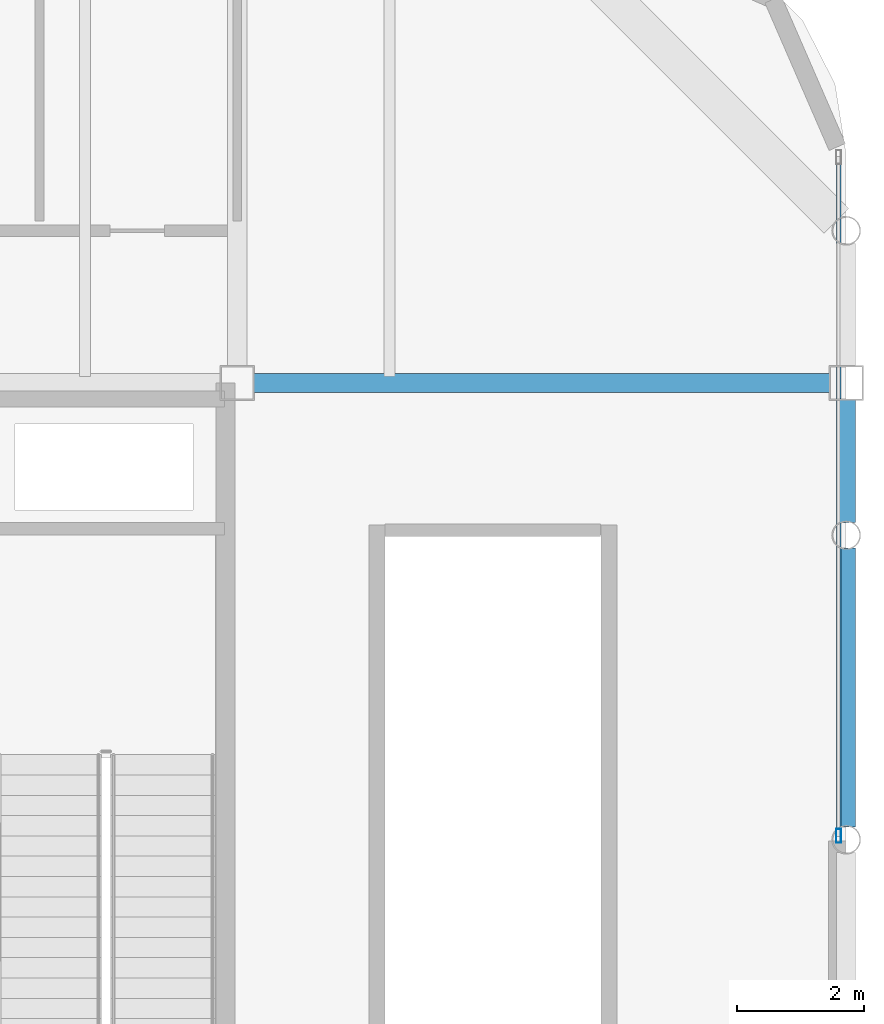
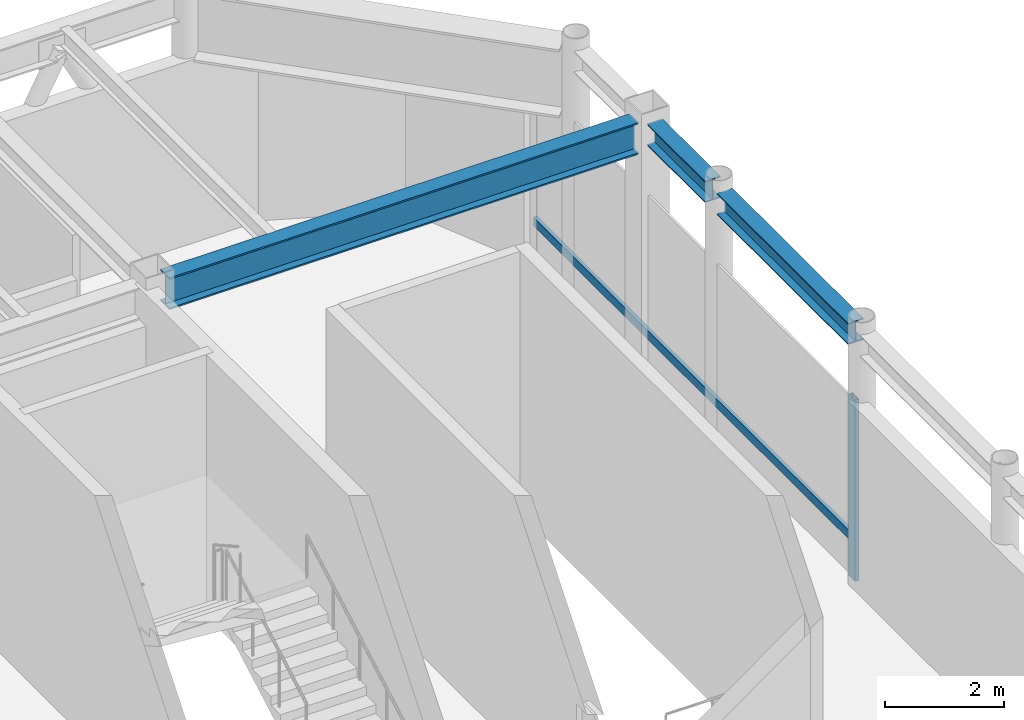
# One storey, part 11 of 21: 3 beams, 2 members, 1 element without a shape of its own.
"""IFC4 building model written with IfcOpenShell, lengths in metres."""

from ifc_helpers import new_model, si_unit, direction, frame, origin, origin_2d, place, context, subcontext, project, spatial, hollow_rectangle, i_section, extrude, material, layer, layer_set, material_profile, profile_set, type_object, element, aggregate, save


model = new_model("IFC4")

# Units and contexts
model_context = context("Model", 3, precision=1e-05, world=origin(), true_north=direction((0.0, 1.0)))
body_context = subcontext(model_context, "Body", "Model", "MODEL_VIEW")
ifc_project = project(units=[si_unit("LENGTHUNIT", "METRE"), si_unit("AREAUNIT", "SQUARE_METRE"), si_unit("VOLUMEUNIT", "CUBIC_METRE"), si_unit("PLANEANGLEUNIT", "RADIAN"), si_unit("MASSUNIT", "GRAM", prefix="KILO")], contexts=[model_context])

# Site, building, storey
site_placement = place(None, origin())
site = spatial("IfcSite", under=ifc_project, at=site_placement, CompositionType="ELEMENT")
building_placement = place(site_placement, origin())
building = spatial("IfcBuilding", under=site, at=building_placement, Name="Kallvorn Hotel Tower", CompositionType="ELEMENT")
storey_placement = place(building_placement, frame((0.0, 0.0, 300.60009765625)))
storey = spatial("IfcBuildingStorey", under=building, at=storey_placement, Name="L74", CompositionType="ELEMENT", Elevation=300.60009765625)

# Beams
ifc_material_1 = material(Name="Structural steel S355JR", Category="steel")
ifc_material_profile_1 = material_profile(ifc_material_1, i_section(OverallWidth=0.300048828125, OverallDepth=0.43994140625, WebThickness=0.011474609375, FlangeThickness=0.02099609375, at=origin_2d()), Name="HE 450 A")
ifc_profile_set_1 = profile_set([ifc_material_profile_1], Name="Structural steel S355JR")
beam_type_1 = type_object("IfcBeamType", Name="BM_HE450A", PredefinedType="BEAM", material=ifc_profile_set_1)
beam_1_placement = place(storey_placement, frame((24.0, 0.20361328125, 4.93994140625), z_axis=(0.0, 1.0, 0.0), x_axis=(-1.0, 0.0, 0.0)))
element("IfcBeam", 1, at=beam_1_placement, inside=storey, type_object=beam_type_1, Name="ROOF Primary Y-Girder 51", PredefinedType="BEAM", context=body_context, shape_type="SweptSolid", body=[
    extrude(i_section(OverallWidth=0.300048828125, OverallDepth=0.43994140625, WebThickness=0.011474609375, FlangeThickness=0.02099609375, at=origin_2d()), origin(), (0.0, 0.0, 1.0), 4.392822265625),
])
beam_2_placement = place(storey_placement, frame((24.0, 5.00341796875, 4.93994140625), z_axis=(0.0, 1.0, 0.0), x_axis=(-1.0, 0.0, 0.0)))
element("IfcBeam", 2, at=beam_2_placement, inside=storey, type_object=beam_type_1, Name="ROOF Primary Y-Girder 52", PredefinedType="BEAM", context=body_context, shape_type="SweptSolid", body=[
    extrude(i_section(OverallWidth=0.300048828125, OverallDepth=0.43994140625, WebThickness=0.011474609375, FlangeThickness=0.02099609375, at=origin_2d()), origin(), (0.0, 0.0, 1.0), 1.946533203125),
])
ifc_material_2 = material(Name="Structural steel S355JR", Category="steel")
ifc_material_profile_2 = material_profile(ifc_material_2, i_section(OverallWidth=0.300048828125, OverallDepth=0.64990234375, WebThickness=0.01611328125, FlangeThickness=0.031005859375, at=origin_2d()), Name="HE 650 B")
ifc_profile_set_2 = profile_set([ifc_material_profile_2], Name="Structural steel S355JR")
beam_type_2 = type_object("IfcBeamType", Name="BM_HE650B", PredefinedType="BEAM", material=ifc_profile_set_2)
beam_3_placement = place(storey_placement, frame((14.64990234375, 7.199951171875, 4.8349609375), z_axis=(1.0, 0.0, 0.0), x_axis=(0.0, 1.0, 0.0)))
element("IfcBeam", 3, at=beam_3_placement, inside=storey, type_object=beam_type_2, Name="ROOF Primary X-Girder 15", PredefinedType="BEAM", context=body_context, shape_type="SweptSolid", body=[
    extrude(i_section(OverallWidth=0.300048828125, OverallDepth=0.64990234375, WebThickness=0.01611328125, FlangeThickness=0.031005859375, at=origin_2d()), origin(), (0.0, 0.0, 1.0), 9.10009765625),
])

# Curtain wall, members
ifc_material_3 = material(Name="Thermally broken black-anodised aluminium AA 6063-T6", Category="aluminium")
ifc_layer = layer(ifc_material_3, 0.25)
ifc_layer_set = layer_set([ifc_layer], Name="CW_SYS_6_SUMMIT_OBS")
curtain_wall_type = type_object("IfcCurtainWallType", Name="CW_SYS_6_SUMMIT_OBS", PredefinedType="USERDEFINED", material=ifc_layer_set)
curtain_wall_placement = place(storey_placement, origin())
curtain_wall = element("IfcCurtainWall", 4, at=curtain_wall_placement, inside=storey, type_object=curtain_wall_type, Name="L74 Dark-Glass Curtain Wall CW-L74-EN", ObjectType="UNITISED CURTAIN WALL", PredefinedType="USERDEFINED")
ifc_material_4 = material(Name="Thermally broken black-anodised aluminium AA 6063-T6", Category="aluminium")
ifc_material_profile_3 = material_profile(ifc_material_4, hollow_rectangle(XDim=0.080078125, YDim=0.219970703125, WallThickness=0.0048828125, at=origin_2d()), Name="MUL 220x80")
ifc_profile_set_3 = profile_set([ifc_material_profile_3], Name="Thermally broken black-anodised aluminium AA 6063-T6")
member_type_1 = type_object("IfcMemberType", Name="CW_MULLION_220x80", PredefinedType="MULLION", material=ifc_profile_set_3)
member_1_placement = place(storey_placement, frame((23.8798828125, 0.06005859375, 0.02001953125), z_axis=(0.0, 0.0, 1.0), x_axis=(1.0, 0.0, 0.0)))
member_1 = element("IfcMember", 5, at=member_1_placement, type_object=member_type_1, Name="CW-L74-EN Mullion 00", PredefinedType="MULLION", context=body_context, shape_type="SweptSolid", body=[
    extrude(hollow_rectangle(XDim=0.080078125, YDim=0.219970703125, WallThickness=0.0048828125, at=origin_2d()), origin(), (0.0, 0.0, 1.0), 3.719970703125),
])
ifc_material_5 = material(Name="Thermally broken black-anodised aluminium AA 6063-T6", Category="aluminium")
ifc_material_profile_4 = material_profile(ifc_material_5, hollow_rectangle(XDim=0.070068359375, YDim=0.179931640625, WallThickness=0.00390625, at=origin_2d()), Name="TRN 180x70")
ifc_profile_set_4 = profile_set([ifc_material_profile_4], Name="Thermally broken black-anodised aluminium AA 6063-T6")
member_type_2 = type_object("IfcMemberType", Name="CW_TRANSOM_180x70", PredefinedType="USERDEFINED", material=ifc_profile_set_4)
member_2_placement = place(storey_placement, frame((23.8798828125, 0.06005859375, 0.849853515625), z_axis=(0.0, 1.0, 0.0), x_axis=(-1.0, 0.0, 0.0)))
member_2 = element("IfcMember", 6, at=member_2_placement, type_object=member_type_2, Name="CW-L74-EN Transom 00M", ObjectType="TRANSOM", PredefinedType="USERDEFINED", context=body_context, shape_type="SweptSolid", body=[
    extrude(hollow_rectangle(XDim=0.070068359375, YDim=0.179931640625, WallThickness=0.00390625, at=origin_2d()), origin(), (0.0, 0.0, 1.0), 10.699951171875),
])
aggregate(curtain_wall, [member_1, member_2])

save(model, "model.ifc")
